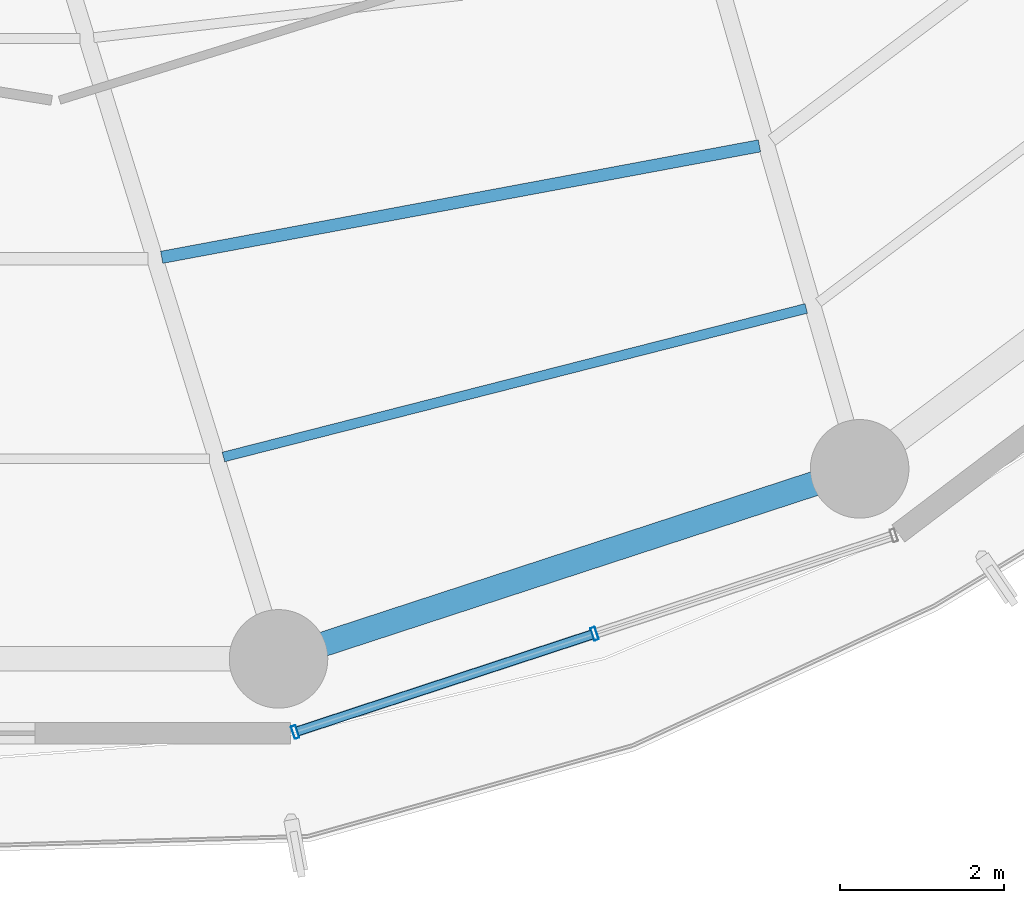
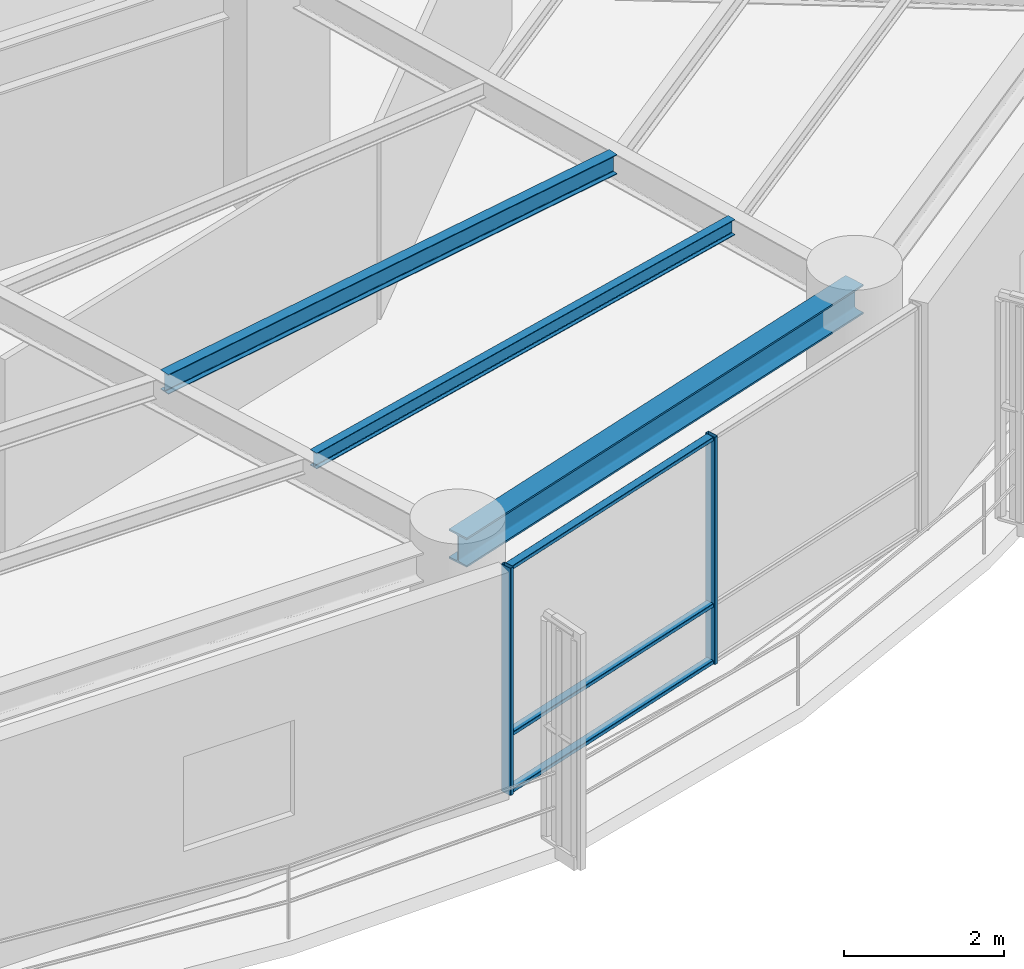
# One storey, part 4 of 27: 5 members, 3 beams, 1 element without a shape of its own.
"""IFC4 building model written with IfcOpenShell, lengths in metres."""

from ifc_helpers import new_model, si_unit, direction, frame, origin, origin_2d, place, context, subcontext, project, spatial, hollow_rectangle, i_section, extrude, material, layer, layer_set, material_profile, profile_set, type_object, element, aggregate, save


model = new_model("IFC4")

# Units and contexts
model_context = context("Model", 3, precision=1e-05, world=origin(), true_north=direction((0.0, 1.0)))
body_context = subcontext(model_context, "Body", "Model", "MODEL_VIEW")
ifc_project = project(units=[si_unit("LENGTHUNIT", "METRE"), si_unit("AREAUNIT", "SQUARE_METRE"), si_unit("VOLUMEUNIT", "CUBIC_METRE"), si_unit("PLANEANGLEUNIT", "RADIAN"), si_unit("MASSUNIT", "GRAM", prefix="KILO")], contexts=[model_context])

# Site, building, storey
site_placement = place(None, origin())
site = spatial("IfcSite", under=ifc_project, at=site_placement, CompositionType="ELEMENT")
building_placement = place(site_placement, origin())
building = spatial("IfcBuilding", under=site, at=building_placement, Name="Kelanora Arch Commons", CompositionType="ELEMENT")
storey_placement = place(building_placement, frame((0.0, 0.0, 165.60009765625)))
storey = spatial("IfcBuildingStorey", under=building, at=storey_placement, Name="L42", CompositionType="ELEMENT", Elevation=165.60009765625)

# Beams
ifc_material_1 = material(Name="Steel S355", Category="steel")
ifc_material_profile_1 = material_profile(ifc_material_1, i_section(OverallWidth=0.14990234375, OverallDepth=0.300048828125, WebThickness=0.007080078125, FlangeThickness=0.0107421875, FilletRadius=0.014892578125, at=origin_2d()), Name="IPE300")
ifc_profile_set_1 = profile_set([ifc_material_profile_1], Name="Steel S355")
beam_type_1 = type_object("IfcBeamType", Name="BM-JST-01", PredefinedType="JOIST", material=ifc_profile_set_1)
beam_1_placement = place(storey_placement, frame((76.34228515625, 43.705078125, 3.33984375), z_axis=(0.983054256126, 0.183314837134, 0.0), x_axis=(-0.183314837134, 0.983054256126, 0.0)))
element("IfcBeam", 1, at=beam_1_placement, inside=storey, type_object=beam_type_1, Name="Secondary Chord Joist BJB-28 L42", PredefinedType="JOIST", context=body_context, shape_type="SweptSolid", body=[
    extrude(i_section(OverallWidth=0.14990234375, OverallDepth=0.300048828125, WebThickness=0.007080078125, FlangeThickness=0.0107421875, FilletRadius=0.014892578125, at=origin_2d()), origin(), (0.0, 0.0, 1.0), 7.403564453125),
])
ifc_material_profile_2 = material_profile(ifc_material_1, i_section(OverallWidth=0.1201171875, OverallDepth=0.239990234375, WebThickness=0.006103515625, FlangeThickness=0.009765625, FilletRadius=0.014892578125, at=origin_2d()), Name="IPE240")
ifc_profile_set_2 = profile_set([ifc_material_profile_2], Name="Steel S355")
beam_type_2 = type_object("IfcBeamType", Name="BM-JST-02", PredefinedType="JOIST", material=ifc_profile_set_2)
beam_2_placement = place(storey_placement, frame((77.093994140625, 41.273681640625, 3.369873046875), z_axis=(0.96900232943, 0.247051584815, 0.0), x_axis=(-0.247051584815, 0.96900232943, 0.0)))
element("IfcBeam", 2, at=beam_2_placement, inside=storey, type_object=beam_type_2, Name="Secondary Chord Joist BJC-28 L42", PredefinedType="JOIST", context=body_context, shape_type="SweptSolid", body=[
    extrude(i_section(OverallWidth=0.1201171875, OverallDepth=0.239990234375, WebThickness=0.006103515625, FlangeThickness=0.009765625, FilletRadius=0.014892578125, at=origin_2d()), origin(), (0.0, 0.0, 1.0), 7.32275390625),
])
ifc_material_profile_3 = material_profile(ifc_material_1, i_section(OverallWidth=0.300048828125, OverallDepth=0.449951171875, WebThickness=0.013916015625, FlangeThickness=0.02587890625, FilletRadius=0.027099609375, at=origin_2d()), Name="HEB450")
ifc_profile_set_3 = profile_set([ifc_material_profile_3], Name="Steel S355")
beam_type_3 = type_object("IfcBeamType", Name="BM-SPN-Z3", PredefinedType="SPANDREL", material=ifc_profile_set_3)
beam_3_placement = place(storey_placement, frame((77.7646484375, 38.81591796875, 3.264892578125), z_axis=(0.950461975786, 0.310840847676, 0.0), x_axis=(-0.310840847676, 0.950461975786, 0.0)))
element("IfcBeam", 3, at=beam_3_placement, inside=storey, type_object=beam_type_3, Name="Perimeter Spandrel Beam BS-28 L42", PredefinedType="SPANDREL", context=body_context, shape_type="SweptSolid", body=[
    extrude(i_section(OverallWidth=0.300048828125, OverallDepth=0.449951171875, WebThickness=0.013916015625, FlangeThickness=0.02587890625, FilletRadius=0.027099609375, at=origin_2d()), origin(), (0.0, 0.0, 1.0), 7.444091796875),
])

# Curtain wall, members
ifc_material_2 = material(Name="Terracotta ceramic-fritted low-E glass and aluminium", Category="masonry")
ifc_layer = layer(ifc_material_2, 0.175048828125)
ifc_layer_set = layer_set([ifc_layer], Name="Terracotta ceramic-fritted low-E glass and aluminium")
curtain_wall_type = type_object("IfcCurtainWallType", Name="CW-SYS-02", PredefinedType="NOTDEFINED", material=ifc_layer_set)
curtain_wall_placement = place(storey_placement, origin())
curtain_wall = element("IfcCurtainWall", 4, at=curtain_wall_placement, inside=storey, type_object=curtain_wall_type, Name="Unitised Curtain Wall L42-B14", PredefinedType="NOTDEFINED")
ifc_material_3 = material(Name="Powder-coated aluminium terracotta", Category="masonry")
ifc_material_profile_4 = material_profile(ifc_material_3, hollow_rectangle(XDim=0.159912109375, YDim=0.06005859375, WallThickness=0.0048828125, InnerFilletRadius=0.0048828125, OuterFilletRadius=0.010009765625, at=origin_2d()), Name="CWM160x60")
ifc_profile_set_4 = profile_set([ifc_material_profile_4], Name="Powder-coated aluminium terracotta")
member_type_1 = type_object("IfcMemberType", Name="CWM-STD", PredefinedType="MULLION", material=ifc_profile_set_4)
member_1_placement = place(storey_placement, frame((77.96728515625, 37.924072265625, 0.0), z_axis=(0.0, 0.0, 1.0), x_axis=(-0.312128279571, 0.95003996605, 0.0)))
member_1 = element("IfcMember", 5, at=member_1_placement, type_object=member_type_1, Name="CW-02 mullion 1", PredefinedType="MULLION", context=body_context, shape_type="SweptSolid", body=[
    extrude(hollow_rectangle(XDim=0.159912109375, YDim=0.06005859375, WallThickness=0.0048828125, InnerFilletRadius=0.0048828125, OuterFilletRadius=0.010009765625, at=origin_2d()), origin(), (0.0, 0.0, 1.0), 3.474853515625),
])
member_2_placement = place(storey_placement, frame((81.6123046875, 39.12158203125, 0.0), z_axis=(0.0, 0.0, 1.0), x_axis=(-0.312128279571, 0.95003996605, 0.0)))
member_2 = element("IfcMember", 6, at=member_2_placement, type_object=member_type_1, Name="CW-02 mullion 2", PredefinedType="MULLION", context=body_context, shape_type="SweptSolid", body=[
    extrude(hollow_rectangle(XDim=0.159912109375, YDim=0.06005859375, WallThickness=0.0048828125, InnerFilletRadius=0.0048828125, OuterFilletRadius=0.010009765625, at=origin_2d()), origin(), (0.0, 0.0, 1.0), 3.474853515625),
])
ifc_material_profile_5 = material_profile(ifc_material_3, hollow_rectangle(XDim=0.1201171875, YDim=0.06005859375, WallThickness=0.0048828125, InnerFilletRadius=0.0048828125, OuterFilletRadius=0.010009765625, at=origin_2d()), Name="CWT120x60")
ifc_profile_set_5 = profile_set([ifc_material_profile_5], Name="Powder-coated aluminium terracotta")
member_type_2 = type_object("IfcMemberType", Name="CWT-STD", PredefinedType="USERDEFINED", material=ifc_profile_set_5)
member_3_placement = place(storey_placement, frame((77.99560546875, 37.933349609375, 0.02978515625), z_axis=(0.950051191155, 0.312094111104, 0.0), x_axis=(-0.312094111104, 0.950051191155, 0.0)))
member_3 = element("IfcMember", 7, at=member_3_placement, type_object=member_type_2, Name="CW-02 transom 1.1", ObjectType="TRANSOM", PredefinedType="USERDEFINED", context=body_context, shape_type="SweptSolid", body=[
    extrude(hollow_rectangle(XDim=0.1201171875, YDim=0.06005859375, WallThickness=0.0048828125, InnerFilletRadius=0.0048828125, OuterFilletRadius=0.010009765625, at=origin_2d()), origin(), (0.0, 0.0, 1.0), 3.77685546875),
])
member_4_placement = place(storey_placement, frame((77.99560546875, 37.933349609375, 0.89990234375), z_axis=(0.950051191155, 0.312094111104, 0.0), x_axis=(-0.312094111104, 0.950051191155, 0.0)))
member_4 = element("IfcMember", 8, at=member_4_placement, type_object=member_type_2, Name="CW-02 transom 1.2", ObjectType="TRANSOM", PredefinedType="USERDEFINED", context=body_context, shape_type="SweptSolid", body=[
    extrude(hollow_rectangle(XDim=0.1201171875, YDim=0.06005859375, WallThickness=0.0048828125, InnerFilletRadius=0.0048828125, OuterFilletRadius=0.010009765625, at=origin_2d()), origin(), (0.0, 0.0, 1.0), 3.77685546875),
])
member_5_placement = place(storey_placement, frame((77.99560546875, 37.933349609375, 3.44482421875), z_axis=(0.950051191155, 0.312094111104, 0.0), x_axis=(-0.312094111104, 0.950051191155, 0.0)))
member_5 = element("IfcMember", 9, at=member_5_placement, type_object=member_type_2, Name="CW-02 transom 1.3", ObjectType="TRANSOM", PredefinedType="USERDEFINED", context=body_context, shape_type="SweptSolid", body=[
    extrude(hollow_rectangle(XDim=0.1201171875, YDim=0.06005859375, WallThickness=0.0048828125, InnerFilletRadius=0.0048828125, OuterFilletRadius=0.010009765625, at=origin_2d()), origin(), (0.0, 0.0, 1.0), 3.77685546875),
])
aggregate(curtain_wall, [member_1, member_2, member_3, member_4, member_5])

save(model, "model.ifc")
